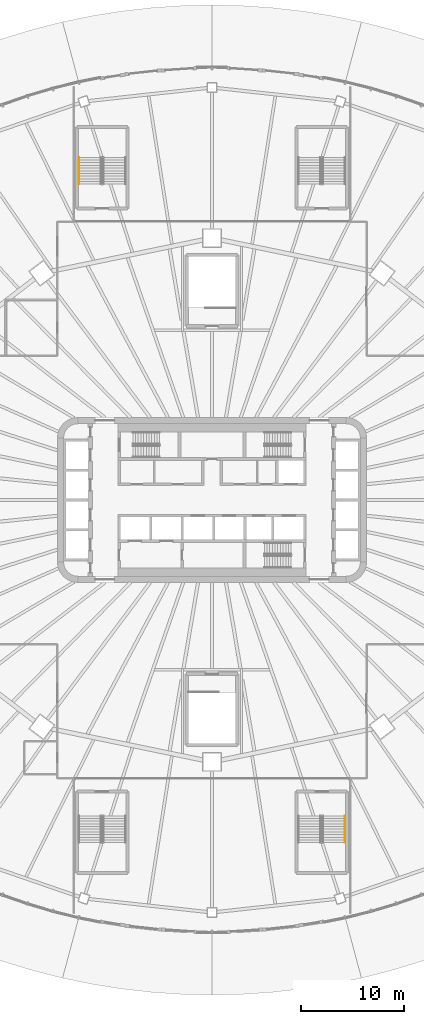
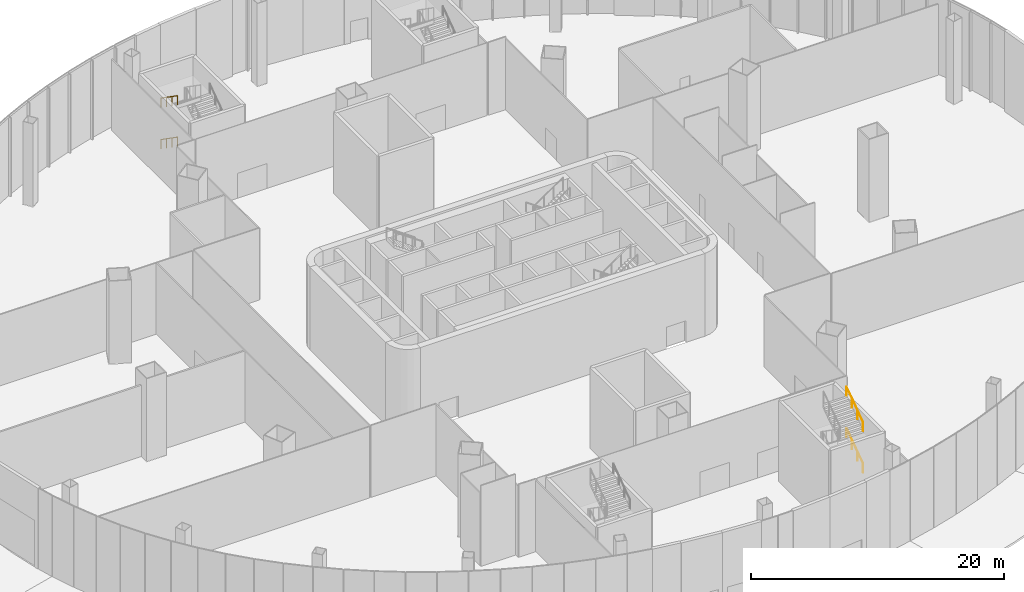
# One storey, part 35 of 36: 4 railings.
"""IFC4 building model written with IfcOpenShell, lengths in metres."""

from ifc_helpers import new_model, si_unit, direction, frame, origin, origin_2d, place, context, subcontext, project, spatial, circle, extrude, material, type_object, element, save


model = new_model("IFC4")

# Units and contexts
model_context = context("Model", 3, precision=1e-05, world=origin(), true_north=direction((0.0, 1.0)))
body_context = subcontext(model_context, "Body", "Model", "MODEL_VIEW")
ifc_project = project(units=[si_unit("LENGTHUNIT", "METRE"), si_unit("AREAUNIT", "SQUARE_METRE"), si_unit("VOLUMEUNIT", "CUBIC_METRE"), si_unit("PLANEANGLEUNIT", "RADIAN"), si_unit("MASSUNIT", "GRAM", prefix="KILO")], contexts=[model_context])

# Site, building, storey
site_placement = place(None, origin())
site = spatial("IfcSite", under=ifc_project, at=site_placement, CompositionType="ELEMENT")
building_placement = place(site_placement, origin())
building = spatial("IfcBuilding", under=site, at=building_placement, Name="Sahrelin Media Tower", CompositionType="ELEMENT")
storey_placement = place(building_placement, origin())
storey = spatial("IfcBuildingStorey", under=building, at=storey_placement, Name="L00", CompositionType="ELEMENT", Elevation=0.0)

# Railings
ifc_material = material(Name="Steel S355", Category="steel")
railing_type = type_object("IfcRailingType", Name="Stair handrail 900", PredefinedType="HANDRAIL", material=ifc_material)
for number, where, name in (
    (1, (-12.89990234375, 33.22509765625, 2.181884765625), "L00 PS2 stair handrail 2"),
    (2, (-12.89990234375, 33.22509765625, 6.181884765625), "L00 PS2 stair handrail 4"),
):
    element("IfcRailing", number, at=place(storey_placement, frame(where)), inside=storey, type_object=railing_type, Name=name, PredefinedType="HANDRAIL", context=body_context, shape_type="SweptSolid", body=[
        extrude(circle(Radius=0.02392578125, at=origin_2d()), frame((0.0, 0.0, 0.8759765625), z_axis=(0.0, -0.819521025635, 0.573049115296), x_axis=(1.0, 0.0, 0.0)), (0.0, 0.0, 1.0), 3.172607421875),
        extrude(circle(Radius=0.02099609375, at=origin_2d()), origin(), (0.0, 0.0, 1.0), 0.851806640625),
        extrude(circle(Radius=0.02099609375, at=origin_2d()), frame((0.0, -0.86669921875, 0.60595703125)), (0.0, 0.0, 1.0), 0.851806640625),
        extrude(circle(Radius=0.02099609375, at=origin_2d()), frame((0.0, -1.7333984375, 1.212158203125)), (0.0, 0.0, 1.0), 0.851806640625),
        extrude(circle(Radius=0.02099609375, at=origin_2d()), frame((0.0, -2.60009765625, 1.818115234375)), (0.0, 0.0, 1.0), 0.851806640625),
    ])
for number, where, name in (
    (3, (12.89990234375, -33.22509765625, 2.181884765625), "L00 PS4 stair handrail 2"),
    (4, (12.89990234375, -33.22509765625, 6.181884765625), "L00 PS4 stair handrail 4"),
):
    element("IfcRailing", number, at=place(storey_placement, frame(where)), inside=storey, type_object=railing_type, Name=name, PredefinedType="HANDRAIL", context=body_context, shape_type="SweptSolid", body=[
        extrude(circle(Radius=0.02392578125, at=origin_2d()), frame((0.0, 0.0, 0.8759765625), z_axis=(0.0, 0.819521025635, 0.573049115296), x_axis=(-1.0, 0.0, 0.0)), (0.0, 0.0, 1.0), 3.172607421875),
        extrude(circle(Radius=0.02099609375, at=origin_2d()), origin(), (0.0, 0.0, 1.0), 0.851806640625),
        extrude(circle(Radius=0.02099609375, at=origin_2d()), frame((0.0, 0.86669921875, 0.60595703125)), (0.0, 0.0, 1.0), 0.851806640625),
        extrude(circle(Radius=0.02099609375, at=origin_2d()), frame((0.0, 1.7333984375, 1.212158203125)), (0.0, 0.0, 1.0), 0.851806640625),
        extrude(circle(Radius=0.02099609375, at=origin_2d()), frame((0.0, 2.60009765625, 1.818115234375)), (0.0, 0.0, 1.0), 0.851806640625),
    ])

save(model, "model.ifc")
